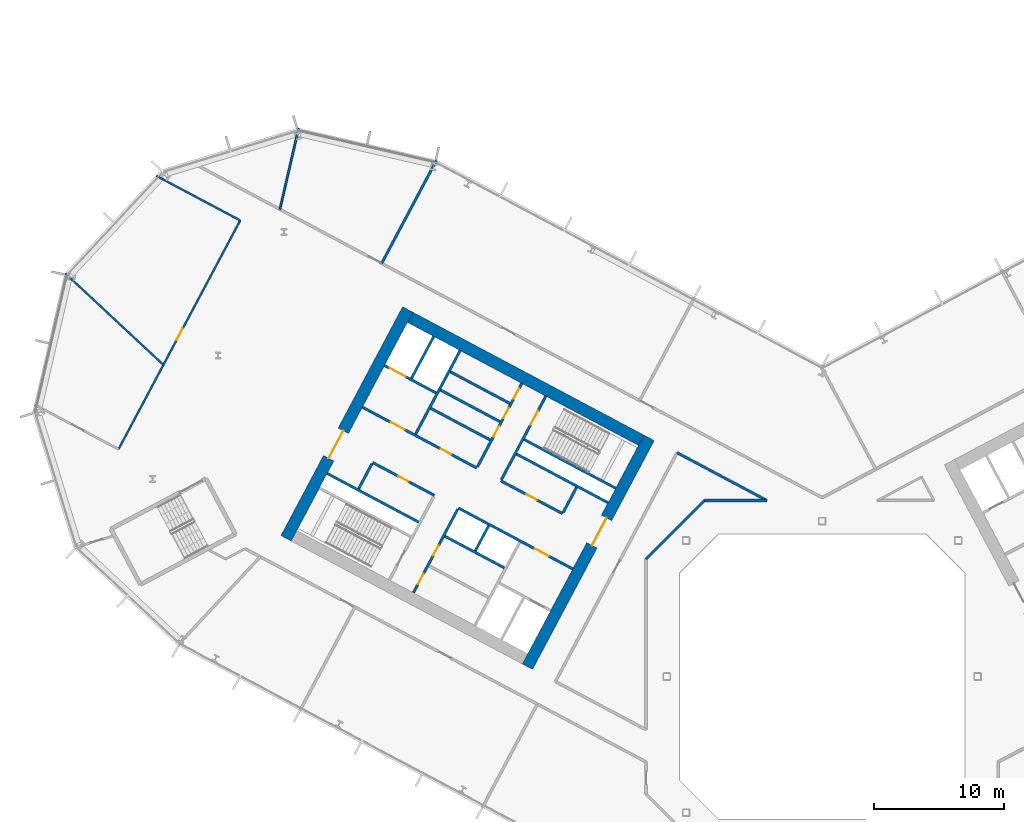
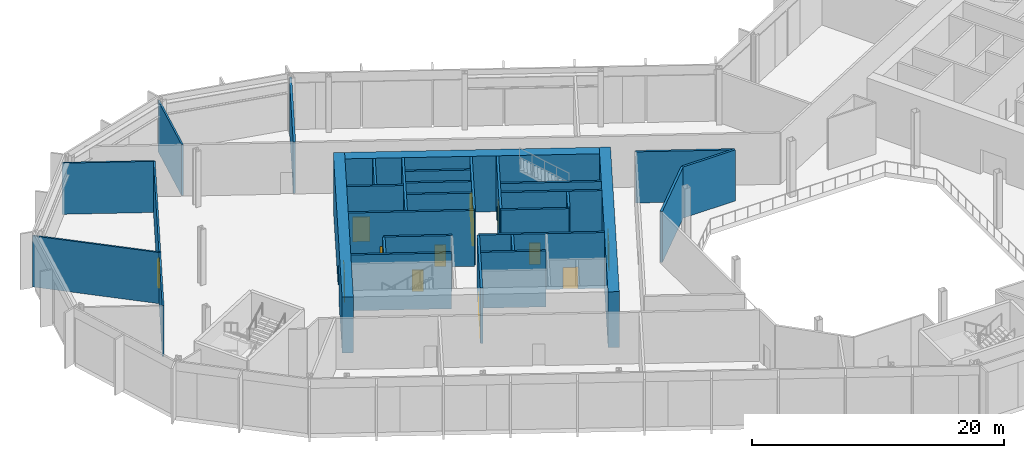
# One storey, part 13 of 32: 31 walls, 15 doors, 15 openings.
"""IFC4 building model written with IfcOpenShell, lengths in metres."""

from ifc_helpers import new_model, si_unit, direction, frame, frame_2d, origin, place, context, subcontext, project, spatial, rectangle, extrude, material, layer, layer_set, type_object, element, fill, save


model = new_model("IFC4")

# Units and contexts
model_context = context("Model", 3, precision=1e-05, world=origin(), true_north=direction((0.0, 1.0)))
body_context = subcontext(model_context, "Body", "Model", "MODEL_VIEW")
ifc_project = project(units=[si_unit("LENGTHUNIT", "METRE"), si_unit("AREAUNIT", "SQUARE_METRE"), si_unit("VOLUMEUNIT", "CUBIC_METRE"), si_unit("PLANEANGLEUNIT", "RADIAN"), si_unit("MASSUNIT", "GRAM", prefix="KILO")], contexts=[model_context])

# Site, building, storey
site_placement = place(None, origin())
site = spatial("IfcSite", under=ifc_project, at=site_placement, CompositionType="ELEMENT")
building_placement = place(site_placement, origin())
building = spatial("IfcBuilding", under=site, at=building_placement, Name="Cormorant Relay Tower", CompositionType="ELEMENT")
storey_placement = place(building_placement, frame((0.0, 0.0, 39.199951171875)))
storey = spatial("IfcBuildingStorey", under=building, at=storey_placement, Name="L07", CompositionType="ELEMENT", Elevation=39.199951171875)

# Walls
ifc_material_1 = material(Name="Concrete 40 MPa", Category="concrete")
ifc_layer_1 = layer(ifc_material_1, 0.199951171875)
ifc_layer_set_1 = layer_set([ifc_layer_1], Name="Core internal wall 200")
wall_type_1 = type_object("IfcWallType", Name="Core internal wall 200", PredefinedType="SOLIDWALL", material=ifc_layer_set_1)
wall_1_placement = place(storey_placement, frame((-25.744140625, 11.64990234375, 0.0), z_axis=(0.0, 0.0, 1.0), x_axis=(-0.469487830541, -0.882938942948, 0.0)))
element("IfcWall", 1, at=wall_1_placement, inside=storey, type_object=wall_type_1, Name="L07 core A shaft and room wall", PredefinedType="SOLIDWALL", context=body_context, shape_type="SweptSolid", body=[
    extrude(rectangle(XDim=2.2001953125, YDim=0.199951171875, at=frame_2d((1.10009765625, 0.0))), origin(), (0.0, 0.0, 1.0), 5.400146484375),
])
for number, where, z_axis, x_axis, name in (
    (2, (-24.120849609375, 21.093017578125, 0.0), (0.0, 0.0, 1.0), (-0.882953967957, 0.469459572775, 0.0), "L07 core A shaft and room wall"),
    (3, (-24.8720703125, 19.680419921875, 0.0), (0.0, 0.0, 1.0), (-0.882953967957, 0.469459572775, 0.0), "L07 core A shaft and room wall"),
):
    element("IfcWall", number, at=place(storey_placement, frame(where, z_axis=z_axis, x_axis=x_axis)), inside=storey, type_object=wall_type_1, Name=name, PredefinedType="SOLIDWALL", context=body_context, shape_type="SweptSolid", body=[
        extrude(rectangle(XDim=5.199951171875, YDim=0.199951171875, at=frame_2d((2.60009765625, 0.0))), origin(), (0.0, 0.0, 1.0), 5.400146484375),
    ])
ifc_material_2 = material(Name="Concrete 50 MPa", Category="concrete")
ifc_layer_2 = layer(ifc_material_2, 0.199951171875)
ifc_layer_set_2 = layer_set([ifc_layer_2], Name="Core shaft wall 200")
wall_type_2 = type_object("IfcWallType", Name="Core shaft wall 200", PredefinedType="SHEAR", material=ifc_layer_set_2)
wall_2_placement = place(storey_placement, frame((-18.959716796875, 14.611328125, 0.0), z_axis=(0.0, 0.0, 1.0), x_axis=(-0.4694473164, -0.882960484464, 0.0)))
element("IfcWall", 4, at=wall_2_placement, inside=storey, type_object=wall_type_2, Name="L07 core A shaft wall", PredefinedType="SHEAR", context=body_context, shape_type="SweptSolid", body=[
    extrude(rectangle(XDim=2.199951171875, YDim=0.199951171875, at=frame_2d((1.10009765625, 0.0))), origin(), (0.0, 0.0, 1.0), 5.400146484375),
])

# Wall, opening, door
wall_3_placement = place(storey_placement, frame((-21.333251953125, 21.6494140625, 0.0), z_axis=(0.0, 0.0, 1.0), x_axis=(-0.469494272526, -0.882935517501, 0.0)))
wall_3 = element("IfcWall", 5, at=wall_3_placement, inside=storey, type_object=wall_type_2, Name="L07 core A shaft wall", PredefinedType="SHEAR", context=body_context, shape_type="SweptSolid", body=[
    extrude(rectangle(XDim=7.2998046875, YDim=0.199951171875, at=frame_2d((3.64990234375, 0.0))), origin(), (0.0, 0.0, 1.0), 5.400146484375),
])
opening_1_placement = place(wall_3_placement, frame((1.300048828125, 0.0, 0.0)))
opening_1 = element("IfcOpeningElement", 6, at=opening_1_placement, cuts=wall_3, Name="Opening CDB-019", PredefinedType="OPENING", context=body_context, shape_type="SweptSolid", body=[
    extrude(rectangle(XDim=1.199951171875, YDim=2.10009765625, at=frame_2d((0.60009765625, 1.050048828125))), frame((0.0, 0.10986328125, 0.0), z_axis=(0.0, -1.0, 0.0), x_axis=(1.0, 0.0, 0.0)), (0.0, 0.0, 1.0), 0.219970703125),
])
ifc_material_3 = material(Name="Steel fire door", Category="steel")
door_type_1 = type_object("IfcDoorType", Name="Core stair door 1200x2100", OperationType="SINGLE_SWING_LEFT", PredefinedType="DOOR", material=ifc_material_3)
door_1_placement = place(opening_1_placement, origin())
door_1 = element("IfcDoor", 7, at=door_1_placement, inside=storey, type_object=door_type_1, Name="Core stair door 1200x2100", OperationType="SINGLE_SWING_RIGHT", OverallHeight=2.10009765625, OverallWidth=1.199951171875, PredefinedType="DOOR", context=body_context, shape_type="SweptSolid", body=[
    extrude(rectangle(XDim=1.199951171875, YDim=2.10009765625, at=frame_2d((0.60009765625, 1.050048828125))), frame((0.0, 0.02490234375, 0.0), z_axis=(0.0, -1.0, 0.0), x_axis=(1.0, 0.0, 0.0)), (0.0, 0.0, 1.0), 0.050048828125),
])
fill(opening_1, door_1)

# Wall, openings, doors
wall_4_placement = place(storey_placement, frame((-28.128173828125, 12.91748046875, 0.0), z_axis=(0.0, 0.0, 1.0), x_axis=(-0.469454336211, -0.882956752176, 0.0)))
wall_4 = element("IfcWall", 8, at=wall_4_placement, inside=storey, type_object=wall_type_2, Name="L07 core A shaft wall", PredefinedType="SHEAR", context=body_context, shape_type="SweptSolid", body=[
    extrude(rectangle(XDim=7.300048828125, YDim=0.199951171875, at=frame_2d((3.64990234375, 0.0))), origin(), (0.0, 0.0, 1.0), 5.400146484375),
])
opening_2_placement = place(wall_4_placement, frame((3.14990234375, 0.0, 0.0)))
opening_2 = element("IfcOpeningElement", 9, at=opening_2_placement, cuts=wall_4, Name="Opening CDD-084", PredefinedType="OPENING", context=body_context, shape_type="SweptSolid", body=[
    extrude(rectangle(XDim=0.89990234375, YDim=2.10009765625, at=frame_2d((0.449951171875, 1.050048828125))), frame((0.0, 0.10986328125, 0.0), z_axis=(0.0, -1.0, 0.0), x_axis=(1.0, 0.0, 0.0)), (0.0, 0.0, 1.0), 0.219970703125),
])
opening_3_placement = place(wall_4_placement, frame((5.64990234375, 0.0, 0.0)))
opening_3 = element("IfcOpeningElement", 10, at=opening_3_placement, cuts=wall_4, Name="Opening CDD-085", PredefinedType="OPENING", context=body_context, shape_type="SweptSolid", body=[
    extrude(rectangle(XDim=0.89990234375, YDim=2.10009765625, at=frame_2d((0.449951171875, 1.050048828125))), frame((0.0, 0.10986328125, 0.0), z_axis=(0.0, -1.0, 0.0), x_axis=(1.0, 0.0, 0.0)), (0.0, 0.0, 1.0), 0.219970703125),
])
ifc_material_4 = material(Name="Steel fire door", Category="steel")
door_type_2 = type_object("IfcDoorType", Name="Core room door 900x2100", OperationType="SINGLE_SWING_LEFT", PredefinedType="DOOR", material=ifc_material_4)
door_2_placement = place(opening_2_placement, origin())
door_2 = element("IfcDoor", 11, at=door_2_placement, inside=storey, type_object=door_type_2, Name="Core room door 900x2100", OperationType="SINGLE_SWING_LEFT", OverallHeight=2.10009765625, OverallWidth=0.89990234375, PredefinedType="DOOR", context=body_context, shape_type="SweptSolid", body=[
    extrude(rectangle(XDim=0.89990234375, YDim=2.10009765625, at=frame_2d((0.449951171875, 1.050048828125))), frame((0.0, 0.02490234375, 0.0), z_axis=(0.0, -1.0, 0.0), x_axis=(1.0, 0.0, 0.0)), (0.0, 0.0, 1.0), 0.050048828125),
])
fill(opening_2, door_2)
door_3_placement = place(opening_3_placement, origin())
door_3 = element("IfcDoor", 12, at=door_3_placement, inside=storey, type_object=door_type_2, Name="Core room door 900x2100", OperationType="SINGLE_SWING_LEFT", OverallHeight=2.10009765625, OverallWidth=0.89990234375, PredefinedType="DOOR", context=body_context, shape_type="SweptSolid", body=[
    extrude(rectangle(XDim=0.89990234375, YDim=2.10009765625, at=frame_2d((0.449951171875, 1.050048828125))), frame((0.0, 0.02490234375, 0.0), z_axis=(0.0, -1.0, 0.0), x_axis=(1.0, 0.0, 0.0)), (0.0, 0.0, 1.0), 0.050048828125),
])
fill(opening_3, door_3)

wall_5_placement = place(storey_placement, frame((-23.1875, 22.635498046875, 0.0), z_axis=(0.0, 0.0, 1.0), x_axis=(-0.469454336211, -0.882956752176, 0.0)))
wall_5 = element("IfcWall", 13, at=wall_5_placement, inside=storey, type_object=wall_type_2, Name="L07 core A shaft wall", PredefinedType="SHEAR", context=body_context, shape_type="SweptSolid", body=[
    extrude(rectangle(XDim=7.300048828125, YDim=0.199951171875, at=frame_2d((3.64990234375, 0.0))), origin(), (0.0, 0.0, 1.0), 5.400146484375),
])
opening_4_placement = place(wall_5_placement, frame((0.449951171875, 0.0, 0.0)))
opening_4 = element("IfcOpeningElement", 14, at=opening_4_placement, cuts=wall_5, Name="Opening CDD-086", PredefinedType="OPENING", context=body_context, shape_type="SweptSolid", body=[
    extrude(rectangle(XDim=0.89990234375, YDim=2.10009765625, at=frame_2d((0.449951171875, 1.050048828125))), frame((0.0, 0.10986328125, 0.0), z_axis=(0.0, -1.0, 0.0), x_axis=(1.0, 0.0, 0.0)), (0.0, 0.0, 1.0), 0.219970703125),
])
opening_5_placement = place(wall_5_placement, frame((2.14990234375, 0.0, 0.0)))
opening_5 = element("IfcOpeningElement", 15, at=opening_5_placement, cuts=wall_5, Name="Opening CDD-087", PredefinedType="OPENING", context=body_context, shape_type="SweptSolid", body=[
    extrude(rectangle(XDim=0.89990234375, YDim=2.10009765625, at=frame_2d((0.449951171875, 1.050048828125))), frame((0.0, 0.10986328125, 0.0), z_axis=(0.0, -1.0, 0.0), x_axis=(1.0, 0.0, 0.0)), (0.0, 0.0, 1.0), 0.219970703125),
])
opening_6_placement = place(wall_5_placement, frame((3.75, 0.0, 0.0)))
opening_6 = element("IfcOpeningElement", 16, at=opening_6_placement, cuts=wall_5, Name="Opening CDD-088", PredefinedType="OPENING", context=body_context, shape_type="SweptSolid", body=[
    extrude(rectangle(XDim=0.89990234375, YDim=2.10009765625, at=frame_2d((0.449951171875, 1.050048828125))), frame((0.0, 0.10986328125, 0.0), z_axis=(0.0, -1.0, 0.0), x_axis=(1.0, 0.0, 0.0)), (0.0, 0.0, 1.0), 0.219970703125),
])
door_4_placement = place(opening_4_placement, origin())
door_4 = element("IfcDoor", 17, at=door_4_placement, inside=storey, type_object=door_type_2, Name="Core room door 900x2100", OperationType="SINGLE_SWING_LEFT", OverallHeight=2.10009765625, OverallWidth=0.89990234375, PredefinedType="DOOR", context=body_context, shape_type="SweptSolid", body=[
    extrude(rectangle(XDim=0.89990234375, YDim=2.10009765625, at=frame_2d((0.449951171875, 1.050048828125))), frame((0.0, 0.02490234375, 0.0), z_axis=(0.0, -1.0, 0.0), x_axis=(1.0, 0.0, 0.0)), (0.0, 0.0, 1.0), 0.050048828125),
])
fill(opening_4, door_4)
door_5_placement = place(opening_5_placement, origin())
door_5 = element("IfcDoor", 18, at=door_5_placement, inside=storey, type_object=door_type_2, Name="Core room door 900x2100", OperationType="SINGLE_SWING_LEFT", OverallHeight=2.10009765625, OverallWidth=0.89990234375, PredefinedType="DOOR", context=body_context, shape_type="SweptSolid", body=[
    extrude(rectangle(XDim=0.89990234375, YDim=2.10009765625, at=frame_2d((0.449951171875, 1.050048828125))), frame((0.0, 0.02490234375, 0.0), z_axis=(0.0, -1.0, 0.0), x_axis=(1.0, 0.0, 0.0)), (0.0, 0.0, 1.0), 0.050048828125),
])
fill(opening_5, door_5)
door_6_placement = place(opening_6_placement, origin())
door_6 = element("IfcDoor", 19, at=door_6_placement, inside=storey, type_object=door_type_2, Name="Core room door 900x2100", OperationType="SINGLE_SWING_LEFT", OverallHeight=2.10009765625, OverallWidth=0.89990234375, PredefinedType="DOOR", context=body_context, shape_type="SweptSolid", body=[
    extrude(rectangle(XDim=0.89990234375, YDim=2.10009765625, at=frame_2d((0.449951171875, 1.050048828125))), frame((0.0, 0.02490234375, 0.0), z_axis=(0.0, -1.0, 0.0), x_axis=(1.0, 0.0, 0.0)), (0.0, 0.0, 1.0), 0.050048828125),
])
fill(opening_6, door_6)

# Walls
wall_6_placement = place(storey_placement, frame((-27.955322265625, 25.170654296875, 0.0), z_axis=(0.0, 0.0, 1.0), x_axis=(-0.469480409012, -0.88294288918, 0.0)))
element("IfcWall", 20, at=wall_6_placement, inside=storey, type_object=wall_type_2, Name="L07 core A shaft wall", PredefinedType="SHEAR", context=body_context, shape_type="SweptSolid", body=[
    extrude(rectangle(XDim=7.300048828125, YDim=0.199951171875, at=frame_2d((3.64990234375, 0.0))), origin(), (0.0, 0.0, 1.0), 5.400146484375),
])
wall_7_placement = place(storey_placement, frame((-34.750244140625, 16.4384765625, 0.0), z_axis=(0.0, 0.0, 1.0), x_axis=(-0.469401318492, -0.882984938828, 0.0)))
element("IfcWall", 21, at=wall_7_placement, inside=storey, type_object=wall_type_2, Name="L07 core A shaft wall", PredefinedType="SHEAR", context=body_context, shape_type="SweptSolid", body=[
    extrude(rectangle(XDim=2.199951171875, YDim=0.199951171875, at=frame_2d((1.10009765625, 0.0))), origin(), (0.0, 0.0, 1.0), 5.400146484375),
])
wall_8_placement = place(storey_placement, frame((-29.986083984375, 26.250244140625, 0.0), z_axis=(0.0, 0.0, 1.0), x_axis=(-0.469494272526, -0.882935517501, 0.0)))
element("IfcWall", 22, at=wall_8_placement, inside=storey, type_object=wall_type_2, Name="L07 core A shaft wall", PredefinedType="SHEAR", context=body_context, shape_type="SweptSolid", body=[
    extrude(rectangle(XDim=3.64990234375, YDim=0.199951171875, at=frame_2d((1.824951171875, 0.0))), origin(), (0.0, 0.0, 1.0), 5.400146484375),
])
wall_9_placement = place(storey_placement, frame((-15.94189453125, 14.53564453125, 0.0), z_axis=(0.0, 0.0, 1.0), x_axis=(-0.882946947542, 0.469472776449, 0.0)))
element("IfcWall", 23, at=wall_9_placement, inside=storey, type_object=wall_type_2, Name="L07 core A shaft wall", PredefinedType="SHEAR", context=body_context, shape_type="SweptSolid", body=[
    extrude(rectangle(XDim=8.000244140625, YDim=0.199951171875, at=frame_2d((4.0, 0.0))), origin(), (0.0, 0.0, 1.0), 5.400146484375),
])

# Wall, opening, door
wall_10_placement = place(storey_placement, frame((-29.80419921875, 21.906494140625, 0.0), z_axis=(0.0, 0.0, 1.0), x_axis=(-0.882960433586, 0.469447412093, 0.0)))
wall_10 = element("IfcWall", 24, at=wall_10_placement, inside=storey, type_object=wall_type_2, Name="L07 core A shaft wall", PredefinedType="SHEAR", context=body_context, shape_type="SweptSolid", body=[
    extrude(rectangle(XDim=4.5, YDim=0.199951171875, at=frame_2d((2.25, 0.0))), origin(), (0.0, 0.0, 1.0), 5.400146484375),
])
opening_7_placement = place(wall_10_placement, frame((2.64990234375, 0.0, 0.0)))
opening_7 = element("IfcOpeningElement", 25, at=opening_7_placement, cuts=wall_10, Name="Opening LD3-007", PredefinedType="OPENING", context=body_context, shape_type="SweptSolid", body=[
    extrude(rectangle(XDim=1.39990234375, YDim=2.39990234375, at=frame_2d((0.699951171875, 1.199951171875))), frame((0.0, 0.10986328125, 0.0), z_axis=(0.0, -1.0, 0.0), x_axis=(1.0, 0.0, 0.0)), (0.0, 0.0, 1.0), 0.219970703125),
])
ifc_material_5 = material(Name="Stainless steel 316", Category="steel")
door_type_3 = type_object("IfcDoorType", Name="Lift landing door 1400x2400", OperationType="DOUBLE_DOOR_SLIDING", PredefinedType="DOOR", material=ifc_material_5)
door_7_placement = place(opening_7_placement, origin())
door_7 = element("IfcDoor", 26, at=door_7_placement, inside=storey, type_object=door_type_3, Name="SV1 landing door", OperationType="DOUBLE_DOOR_SLIDING", OverallHeight=2.39990234375, OverallWidth=1.39990234375, PredefinedType="DOOR", context=body_context, shape_type="SweptSolid", body=[
    extrude(rectangle(XDim=1.39990234375, YDim=2.39990234375, at=frame_2d((0.699951171875, 1.199951171875))), frame((0.0, 0.02490234375, 0.0), z_axis=(0.0, -1.0, 0.0), x_axis=(1.0, 0.0, 0.0)), (0.0, 0.0, 1.0), 0.050048828125),
])
fill(opening_7, door_7)

# Walls
wall_11_placement = place(storey_placement, frame((-16.52880859375, 13.43212890625, 0.0), z_axis=(0.0, 0.0, 1.0), x_axis=(-0.88295287151, 0.469461634952, 0.0)))
element("IfcWall", 27, at=wall_11_placement, inside=storey, type_object=wall_type_2, Name="L07 core A shaft wall", PredefinedType="SHEAR", context=body_context, shape_type="SweptSolid", body=[
    extrude(rectangle(XDim=7.999755859375, YDim=0.199951171875, at=frame_2d((4.0, 0.0))), origin(), (0.0, 0.0, 1.0), 5.400146484375),
])
wall_12_placement = place(storey_placement, frame((-25.623046875, 18.267578125, 0.0), z_axis=(0.0, 0.0, 1.0), x_axis=(-0.882953967957, 0.469459572775, 0.0)))
element("IfcWall", 28, at=wall_12_placement, inside=storey, type_object=wall_type_2, Name="L07 core A shaft wall", PredefinedType="SHEAR", context=body_context, shape_type="SweptSolid", body=[
    extrude(rectangle(XDim=5.199951171875, YDim=0.199951171875, at=frame_2d((2.60009765625, 0.0))), origin(), (0.0, 0.0, 1.0), 5.400146484375),
])

# Wall, opening, door
wall_13_placement = place(storey_placement, frame((-20.03955078125, 12.58056640625, 0.0), z_axis=(0.0, 0.0, 1.0), x_axis=(-0.882942972946, 0.469480251476, 0.0)))
wall_13 = element("IfcWall", 29, at=wall_13_placement, inside=storey, type_object=wall_type_2, Name="L07 core A shaft wall", PredefinedType="SHEAR", context=body_context, shape_type="SweptSolid", body=[
    extrude(rectangle(XDim=5.39990234375, YDim=0.199951171875, at=frame_2d((2.699951171875, 0.0))), origin(), (0.0, 0.0, 1.0), 5.400146484375),
])
opening_8_placement = place(wall_13_placement, frame((2.25, 0.0, 0.0)))
opening_8 = element("IfcOpeningElement", 30, at=opening_8_placement, cuts=wall_13, Name="Opening CDD-082", PredefinedType="OPENING", context=body_context, shape_type="SweptSolid", body=[
    extrude(rectangle(XDim=0.89990234375, YDim=2.10009765625, at=frame_2d((0.449951171875, 1.050048828125))), frame((0.0, 0.10986328125, 0.0), z_axis=(0.0, -1.0, 0.0), x_axis=(1.0, 0.0, 0.0)), (0.0, 0.0, 1.0), 0.219970703125),
])
door_8_placement = place(opening_8_placement, frame((0.89990234375, 0.0, 0.0), z_axis=(0.0, 0.0, 1.0), x_axis=(-1.0, 0.0, 0.0)))
door_8 = element("IfcDoor", 31, at=door_8_placement, inside=storey, type_object=door_type_2, Name="Core room door 900x2100", OperationType="SINGLE_SWING_RIGHT", OverallHeight=2.10009765625, OverallWidth=0.89990234375, PredefinedType="DOOR", context=body_context, shape_type="SweptSolid", body=[
    extrude(rectangle(XDim=0.89990234375, YDim=2.10009765625, at=frame_2d((0.449951171875, 1.050048828125))), frame((0.0, 0.02490234375, 0.0), z_axis=(0.0, -1.0, 0.0), x_axis=(1.0, 0.0, 0.0)), (0.0, 0.0, 1.0), 0.050048828125),
])
fill(opening_8, door_8)

# Wall, openings, doors
wall_14_placement = place(storey_placement, frame((-26.66162109375, 16.1015625, 0.0), z_axis=(0.0, 0.0, 1.0), x_axis=(-0.882940221191, 0.469485426614, 0.0)))
wall_14 = element("IfcWall", 32, at=wall_14_placement, inside=storey, type_object=wall_type_2, Name="L07 core A shaft wall", PredefinedType="SHEAR", context=body_context, shape_type="SweptSolid", body=[
    extrude(rectangle(XDim=10.0, YDim=0.199951171875, at=frame_2d((5.0, 0.0))), origin(), (0.0, 0.0, 1.0), 5.400146484375),
])
opening_9_placement = place(wall_14_placement, frame((6.300048828125, 0.0, 0.0)))
opening_9 = element("IfcOpeningElement", 33, at=opening_9_placement, cuts=wall_14, Name="Opening CDC-014", PredefinedType="OPENING", context=body_context, shape_type="SweptSolid", body=[
    extrude(rectangle(XDim=1.199951171875, YDim=2.10009765625, at=frame_2d((0.60009765625, 1.050048828125))), frame((0.0, 0.10986328125, 0.0), z_axis=(0.0, -1.0, 0.0), x_axis=(1.0, 0.0, 0.0)), (0.0, 0.0, 1.0), 0.219970703125),
])
opening_10_placement = place(wall_14_placement, frame((2.25, 0.0, 0.0)))
opening_10 = element("IfcOpeningElement", 34, at=opening_10_placement, cuts=wall_14, Name="Opening CDD-083", PredefinedType="OPENING", context=body_context, shape_type="SweptSolid", body=[
    extrude(rectangle(XDim=0.89990234375, YDim=2.10009765625, at=frame_2d((0.449951171875, 1.050048828125))), frame((0.0, 0.10986328125, 0.0), z_axis=(0.0, -1.0, 0.0), x_axis=(1.0, 0.0, 0.0)), (0.0, 0.0, 1.0), 0.219970703125),
])
ifc_material_6 = material(Name="Steel fire door", Category="steel")
door_type_4 = type_object("IfcDoorType", Name="Core lobby door 1200x2100", OperationType="SINGLE_SWING_LEFT", PredefinedType="DOOR", material=ifc_material_6)
door_9_placement = place(opening_9_placement, origin())
door_9 = element("IfcDoor", 35, at=door_9_placement, inside=storey, type_object=door_type_4, Name="Core lobby door 1200x2100", OperationType="SINGLE_SWING_LEFT", OverallHeight=2.10009765625, OverallWidth=1.199951171875, PredefinedType="DOOR", context=body_context, shape_type="SweptSolid", body=[
    extrude(rectangle(XDim=1.199951171875, YDim=2.10009765625, at=frame_2d((0.60009765625, 1.050048828125))), frame((0.0, 0.02490234375, 0.0), z_axis=(0.0, -1.0, 0.0), x_axis=(1.0, 0.0, 0.0)), (0.0, 0.0, 1.0), 0.050048828125),
])
fill(opening_9, door_9)
door_10_placement = place(opening_10_placement, origin())
door_10 = element("IfcDoor", 36, at=door_10_placement, inside=storey, type_object=door_type_2, Name="Core room door 900x2100", OperationType="SINGLE_SWING_LEFT", OverallHeight=2.10009765625, OverallWidth=0.89990234375, PredefinedType="DOOR", context=body_context, shape_type="SweptSolid", body=[
    extrude(rectangle(XDim=0.89990234375, YDim=2.10009765625, at=frame_2d((0.449951171875, 1.050048828125))), frame((0.0, 0.02490234375, 0.0), z_axis=(0.0, -1.0, 0.0), x_axis=(1.0, 0.0, 0.0)), (0.0, 0.0, 1.0), 0.050048828125),
])
fill(opening_10, door_10)

# Wall, opening, door
wall_15_placement = place(storey_placement, frame((-19.251708984375, 8.31103515625, 0.0), z_axis=(0.0, 0.0, 1.0), x_axis=(-0.882955722218, 0.469456273365, 0.0)))
wall_15 = element("IfcWall", 37, at=wall_15_placement, inside=storey, type_object=wall_type_2, Name="L07 core A shaft wall", PredefinedType="SHEAR", context=body_context, shape_type="SweptSolid", body=[
    extrude(rectangle(XDim=10.0, YDim=0.199951171875, at=frame_2d((5.0, 0.0))), origin(), (0.0, 0.0, 1.0), 5.400146484375),
])
opening_11_placement = place(wall_15_placement, frame((2.10009765625, 0.0, 0.0)))
opening_11 = element("IfcOpeningElement", 38, at=opening_11_placement, cuts=wall_15, Name="Opening CDC-013", PredefinedType="OPENING", context=body_context, shape_type="SweptSolid", body=[
    extrude(rectangle(XDim=1.199951171875, YDim=2.10009765625, at=frame_2d((0.60009765625, 1.050048828125))), frame((0.0, 0.10986328125, 0.0), z_axis=(0.0, -1.0, 0.0), x_axis=(1.0, 0.0, 0.0)), (0.0, 0.0, 1.0), 0.219970703125),
])
door_11_placement = place(opening_11_placement, origin())
door_11 = element("IfcDoor", 39, at=door_11_placement, inside=storey, type_object=door_type_4, Name="Core lobby door 1200x2100", OperationType="SINGLE_SWING_RIGHT", OverallHeight=2.10009765625, OverallWidth=1.199951171875, PredefinedType="DOOR", context=body_context, shape_type="SweptSolid", body=[
    extrude(rectangle(XDim=1.199951171875, YDim=2.10009765625, at=frame_2d((0.60009765625, 1.050048828125))), frame((0.0, 0.02490234375, 0.0), z_axis=(0.0, -1.0, 0.0), x_axis=(1.0, 0.0, 0.0)), (0.0, 0.0, 1.0), 0.050048828125),
])
fill(opening_11, door_11)

wall_16_placement = place(storey_placement, frame((-29.935302734375, 13.991455078125, 0.0), z_axis=(0.0, 0.0, 1.0), x_axis=(-0.882952937579, 0.469461510692, 0.0)))
wall_16 = element("IfcWall", 40, at=wall_16_placement, inside=storey, type_object=wall_type_2, Name="L07 core A shaft wall", PredefinedType="SHEAR", context=body_context, shape_type="SweptSolid", body=[
    extrude(rectangle(XDim=5.400146484375, YDim=0.199951171875, at=frame_2d((2.7001953125, 0.0))), origin(), (0.0, 0.0, 1.0), 5.400146484375),
])
opening_12_placement = place(wall_16_placement, frame((2.25, 0.0, 0.0)))
opening_12 = element("IfcOpeningElement", 41, at=opening_12_placement, cuts=wall_16, Name="Opening CDD-081", PredefinedType="OPENING", context=body_context, shape_type="SweptSolid", body=[
    extrude(rectangle(XDim=0.89990234375, YDim=2.10009765625, at=frame_2d((0.449951171875, 1.050048828125))), frame((0.0, 0.10986328125, 0.0), z_axis=(0.0, -1.0, 0.0), x_axis=(1.0, 0.0, 0.0)), (0.0, 0.0, 1.0), 0.219970703125),
])
door_12_placement = place(opening_12_placement, origin())
door_12 = element("IfcDoor", 42, at=door_12_placement, inside=storey, type_object=door_type_2, Name="Core room door 900x2100", OperationType="SINGLE_SWING_LEFT", OverallHeight=2.10009765625, OverallWidth=0.89990234375, PredefinedType="DOOR", context=body_context, shape_type="SweptSolid", body=[
    extrude(rectangle(XDim=0.89990234375, YDim=2.10009765625, at=frame_2d((0.449951171875, 1.050048828125))), frame((0.0, 0.02490234375, 0.0), z_axis=(0.0, -1.0, 0.0), x_axis=(1.0, 0.0, 0.0)), (0.0, 0.0, 1.0), 0.050048828125),
])
fill(opening_12, door_12)

# Walls
wall_17_placement = place(storey_placement, frame((-24.5283203125, 8.3984375, 0.0), z_axis=(0.0, 0.0, 1.0), x_axis=(-0.882953967957, 0.469459572775, 0.0)))
element("IfcWall", 43, at=wall_17_placement, inside=storey, type_object=wall_type_2, Name="L07 core A shaft wall", PredefinedType="SHEAR", context=body_context, shape_type="SweptSolid", body=[
    extrude(rectangle(XDim=5.199951171875, YDim=0.199951171875, at=frame_2d((2.60009765625, 0.0))), origin(), (0.0, 0.0, 1.0), 5.400146484375),
])
wall_18_placement = place(storey_placement, frame((-31.150390625, 11.91943359375, 0.0), z_axis=(0.0, 0.0, 1.0), x_axis=(-0.882940221191, 0.469485426614, 0.0)))
element("IfcWall", 44, at=wall_18_placement, inside=storey, type_object=wall_type_2, Name="L07 core A shaft wall", PredefinedType="SHEAR", context=body_context, shape_type="SweptSolid", body=[
    extrude(rectangle(XDim=8.0, YDim=0.199951171875, at=frame_2d((4.0, 0.0))), origin(), (0.0, 0.0, 1.0), 5.400146484375),
])

# Wall, opening, door
ifc_material_7 = material(Name="Concrete 70 MPa", Category="concrete")
ifc_layer_3 = layer(ifc_material_7, 0.89990234375)
ifc_layer_set_3 = layer_set([ifc_layer_3], Name="Core wall 900")
wall_type_3 = type_object("IfcWallType", Name="Core wall 900", PredefinedType="SHEAR", material=ifc_layer_set_3)
wall_19_placement = place(storey_placement, frame((-13.361572265625, 18.43017578125, 0.0), z_axis=(0.0, 0.0, 1.0), x_axis=(-0.46947084998, -0.882947971864, 0.0)))
wall_19 = element("IfcWall", 45, at=wall_19_placement, inside=storey, type_object=wall_type_3, Name="L07 core A wall", PredefinedType="SHEAR", context=body_context, shape_type="SweptSolid", body=[
    extrude(rectangle(XDim=20.0, YDim=0.89990234375, at=frame_2d((10.0, 0.0))), origin(), (0.0, 0.0, 1.0), 5.400146484375),
])
opening_13_placement = place(wall_19_placement, frame((7.0, 0.0, 0.0)))
opening_13 = element("IfcOpeningElement", 46, at=opening_13_placement, cuts=wall_19, Name="Opening CDA-013", PredefinedType="OPENING", context=body_context, shape_type="SweptSolid", body=[
    extrude(rectangle(XDim=2.39990234375, YDim=2.39990234375, at=frame_2d((1.199951171875, 1.199951171875))), frame((0.0, 0.4599609375, 0.0), z_axis=(0.0, -1.0, 0.0), x_axis=(1.0, 0.0, 0.0)), (0.0, 0.0, 1.0), 0.919921875),
])
ifc_material_8 = material(Name="Steel fire door", Category="steel")
door_type_5 = type_object("IfcDoorType", Name="Core lobby door 2400x2400", OperationType="DOUBLE_DOOR_SINGLE_SWING", PredefinedType="DOOR", material=ifc_material_8)
door_13_placement = place(opening_13_placement, frame((2.39990234375, 0.0, 0.0), z_axis=(0.0, 0.0, 1.0), x_axis=(-1.0, 0.0, 0.0)))
door_13 = element("IfcDoor", 47, at=door_13_placement, inside=storey, type_object=door_type_5, Name="Core lobby door 2400x2400", OperationType="DOUBLE_DOOR_SINGLE_SWING", OverallHeight=2.39990234375, OverallWidth=2.39990234375, PredefinedType="DOOR", context=body_context, shape_type="SweptSolid", body=[
    extrude(rectangle(XDim=2.39990234375, YDim=2.39990234375, at=frame_2d((1.199951171875, 1.199951171875))), frame((0.0, 0.02490234375, 0.0), z_axis=(0.0, -1.0, 0.0), x_axis=(1.0, 0.0, 0.0)), (0.0, 0.0, 1.0), 0.050048828125),
])
fill(opening_13, door_13)

wall_20_placement = place(storey_placement, frame((-31.99169921875, 28.3359375, 0.0), z_axis=(0.0, 0.0, 1.0), x_axis=(-0.46947084998, -0.882947971864, 0.0)))
wall_20 = element("IfcWall", 48, at=wall_20_placement, inside=storey, type_object=wall_type_3, Name="L07 core A wall", PredefinedType="SHEAR", context=body_context, shape_type="SweptSolid", body=[
    extrude(rectangle(XDim=20.0, YDim=0.89990234375, at=frame_2d((10.0, 0.0))), origin(), (0.0, 0.0, 1.0), 5.400146484375),
])
opening_14_placement = place(wall_20_placement, frame((10.60009765625, 0.0, 0.0)))
opening_14 = element("IfcOpeningElement", 49, at=opening_14_placement, cuts=wall_20, Name="Opening CDA-014", PredefinedType="OPENING", context=body_context, shape_type="SweptSolid", body=[
    extrude(rectangle(XDim=2.39990234375, YDim=2.39990234375, at=frame_2d((1.199951171875, 1.199951171875))), frame((0.0, 0.4599609375, 0.0), z_axis=(0.0, -1.0, 0.0), x_axis=(1.0, 0.0, 0.0)), (0.0, 0.0, 1.0), 0.919921875),
])
door_14_placement = place(opening_14_placement, origin())
door_14 = element("IfcDoor", 50, at=door_14_placement, inside=storey, type_object=door_type_5, Name="Core lobby door 2400x2400", OperationType="DOUBLE_DOOR_SINGLE_SWING", OverallHeight=2.39990234375, OverallWidth=2.39990234375, PredefinedType="DOOR", context=body_context, shape_type="SweptSolid", body=[
    extrude(rectangle(XDim=2.39990234375, YDim=2.39990234375, at=frame_2d((1.199951171875, 1.199951171875))), frame((0.0, 0.02490234375, 0.0), z_axis=(0.0, -1.0, 0.0), x_axis=(1.0, 0.0, 0.0)), (0.0, 0.0, 1.0), 0.050048828125),
])
fill(opening_14, door_14)

# Walls
wall_21_placement = place(storey_placement, frame((-13.97021484375, 18.244140625, 0.0), z_axis=(0.0, 0.0, 1.0), x_axis=(-0.88294509198, 0.469476266226, 0.0)))
element("IfcWall", 51, at=wall_21_placement, inside=storey, type_object=wall_type_3, Name="L07 core A wall", PredefinedType="SHEAR", context=body_context, shape_type="SweptSolid", body=[
    extrude(rectangle(XDim=20.199951171875, YDim=0.89990234375, at=frame_2d((10.10009765625, 0.0))), origin(), (0.0, 0.0, 1.0), 5.400146484375),
])
ifc_material_9 = material(Name="Fire-rated gypsum board partition")
ifc_layer_4 = layer(ifc_material_9, 0.199951171875)
ifc_layer_set_4 = layer_set([ifc_layer_4], Name="Fire-rated gypsum partition 200")
wall_type_4 = type_object("IfcWallType", Name="Fire-rated gypsum partition 200", PredefinedType="PARTITIONING", material=ifc_layer_set_4)
wall_22_placement = place(storey_placement, frame((-29.779052734375, 39.845947265625, 0.0), z_axis=(0.0, 0.0, 1.0), x_axis=(-0.469470416571, -0.882948202311, 0.0)))
element("IfcWall", 52, at=wall_22_placement, inside=storey, type_object=wall_type_4, Name="wall/L07/part/13", PredefinedType="PARTITIONING", context=body_context, shape_type="SweptSolid", body=[
    extrude(rectangle(XDim=9.00390625, YDim=0.199951171875, at=frame_2d((4.501953125, 0.0))), origin(), (0.0, 0.0, 1.0), 4.949951171875),
])
wall_23_placement = place(storey_placement, frame((-11.198974609375, 17.282958984375, 0.0), z_axis=(0.0, 0.0, 1.0), x_axis=(0.88292918263, -0.469506185754, 0.0)))
element("IfcWall", 53, at=wall_23_placement, inside=storey, type_object=wall_type_4, Name="wall/L07/part/57", PredefinedType="PARTITIONING", context=body_context, shape_type="SweptSolid", body=[
    extrude(rectangle(XDim=7.848876953125, YDim=0.199951171875, at=frame_2d((3.92431640625, 0.0))), origin(), (0.0, 0.0, 1.0), 4.949951171875),
])
wall_24_placement = place(storey_placement, frame((-4.26904296875, 13.597900390625, 0.0), z_axis=(0.0, 0.0, 1.0), x_axis=(-1.0, 0.0, 0.0)))
element("IfcWall", 54, at=wall_24_placement, inside=storey, type_object=wall_type_4, Name="wall/L07/part/58", PredefinedType="PARTITIONING", context=body_context, shape_type="SweptSolid", body=[
    extrude(rectangle(XDim=4.806884765625, YDim=0.199951171875, at=frame_2d((2.4033203125, 0.0))), origin(), (0.0, 0.0, 1.0), 4.949951171875),
])
wall_25_placement = place(storey_placement, frame((-9.075927734375, 13.597900390625, 0.0), z_axis=(0.0, 0.0, 1.0), x_axis=(-0.707106781187, -0.707106781187, 0.0)))
element("IfcWall", 55, at=wall_25_placement, inside=storey, type_object=wall_type_4, Name="wall/L07/part/59", PredefinedType="PARTITIONING", context=body_context, shape_type="SweptSolid", body=[
    extrude(rectangle(XDim=6.39501953125, YDim=0.199951171875, at=frame_2d((3.197509765625, 0.0))), origin(), (0.0, 0.0, 1.0), 4.949951171875),
])

# Wall, opening, door
ifc_material_10 = material(Name="Gypsum board partition")
ifc_layer_5 = layer(ifc_material_10, 0.14990234375)
ifc_layer_set_5 = layer_set([ifc_layer_5], Name="Gypsum board partition 150")
wall_type_5 = type_object("IfcWallType", Name="Gypsum board partition 150", PredefinedType="PARTITIONING", material=ifc_layer_set_5)
wall_26_placement = place(storey_placement, frame((-54.31591796875, 17.552001953125, 0.0), z_axis=(0.0, 0.0, 1.0), x_axis=(0.469479992782, 0.882943110499, 0.0)))
wall_26 = element("IfcWall", 56, at=wall_26_placement, inside=storey, type_object=wall_type_5, Name="wall/L07/part/2", PredefinedType="PARTITIONING", context=body_context, shape_type="SweptSolid", body=[
    extrude(rectangle(XDim=20.0048828125, YDim=0.14990234375, at=frame_2d((10.00244140625, 0.0))), origin(), (0.0, 0.0, 1.0), 4.949951171875),
])
opening_15_placement = place(wall_26_placement, frame((9.550048828125, 0.0, 0.0)))
opening_15 = element("IfcOpeningElement", 57, at=opening_15_placement, cuts=wall_26, Name="Opening D1-015", PredefinedType="OPENING", context=body_context, shape_type="SweptSolid", body=[
    extrude(rectangle(XDim=1.0, YDim=2.10009765625, at=frame_2d((0.5, 1.050048828125))), frame((0.0, 0.0849609375, 0.0), z_axis=(0.0, -1.0, 0.0), x_axis=(1.0, 0.0, 0.0)), (0.0, 0.0, 1.0), 0.169921875),
])
ifc_material_11 = material(Name="Painted steel door", Category="steel")
door_type_6 = type_object("IfcDoorType", Name="Single door 1000 x 2100", OperationType="SINGLE_SWING_LEFT", PredefinedType="DOOR", material=ifc_material_11)
door_15_placement = place(opening_15_placement, origin())
door_15 = element("IfcDoor", 58, at=door_15_placement, inside=storey, type_object=door_type_6, Name="door/L07/1", OperationType="SINGLE_SWING_RIGHT", OverallHeight=2.10009765625, OverallWidth=1.0, PredefinedType="DOOR", context=body_context, shape_type="SweptSolid", body=[
    extrude(rectangle(XDim=1.0, YDim=2.10009765625, at=frame_2d((0.5, 1.050048828125))), frame((0.0, 0.02490234375, 0.0), z_axis=(0.0, -1.0, 0.0), x_axis=(1.0, 0.0, 0.0)), (0.0, 0.0, 1.0), 0.050048828125),
])
fill(opening_15, door_15)

# Walls
wall_27_placement = place(storey_placement, frame((-44.924072265625, 35.215087890625, 0.0), z_axis=(0.0, 0.0, 1.0), x_axis=(-0.883017799447, 0.469339499574, 0.0)))
element("IfcWall", 59, at=wall_27_placement, inside=storey, type_object=wall_type_5, Name="wall/L07/part/3", PredefinedType="PARTITIONING", context=body_context, shape_type="SweptSolid", body=[
    extrude(rectangle(XDim=7.329345703125, YDim=0.14990234375, at=frame_2d((3.66455078125, 0.0))), origin(), (0.0, 0.0, 1.0), 4.949951171875),
])
wall_28_placement = place(storey_placement, frame((-58.427001953125, 31.125, 0.0), z_axis=(0.0, 0.0, 1.0), x_axis=(0.731440901907, -0.681904837216, 0.0)))
element("IfcWall", 60, at=wall_28_placement, inside=storey, type_object=wall_type_5, Name="wall/L07/part/4", PredefinedType="PARTITIONING", context=body_context, shape_type="SweptSolid", body=[
    extrude(rectangle(XDim=10.35498046875, YDim=0.14990234375, at=frame_2d((5.177490234375, 0.0))), origin(), (0.0, 0.0, 1.0), 4.949951171875),
])
wall_29_placement = place(storey_placement, frame((-41.860107421875, 36.072998046875, 0.0), z_axis=(0.0, 0.0, 1.0), x_axis=(0.224965272242, 0.974366782215, 0.0)))
element("IfcWall", 61, at=wall_29_placement, inside=storey, type_object=wall_type_5, Name="wall/L07/part/14", PredefinedType="PARTITIONING", context=body_context, shape_type="SweptSolid", body=[
    extrude(rectangle(XDim=6.40625, YDim=0.14990234375, at=frame_2d((3.203125, 0.0))), origin(), (0.0, 0.0, 1.0), 4.949951171875),
])

save(model, "model.ifc")
